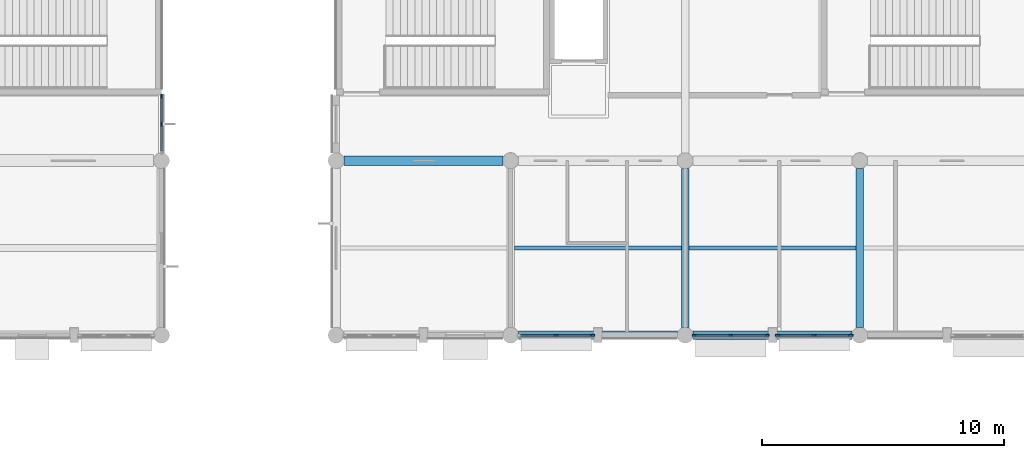
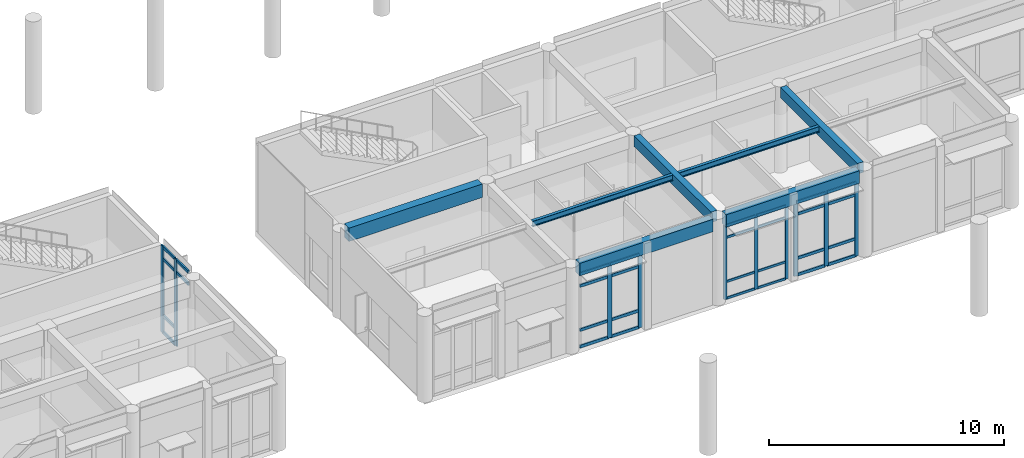
# One storey, part 13 of 92: 40 members, 7 beams, 4 elements without a shape of their own.
"""IFC4 building model written with IfcOpenShell, lengths in metres."""

from ifc_helpers import new_model, si_unit, direction, frame, origin, origin_2d, place, context, subcontext, project, spatial, rectangle, i_section, extrude, material, layer, layer_set, material_profile, profile_set, type_object, element, aggregate, save


model = new_model("IFC4")

# Units and contexts
model_context = context("Model", 3, precision=1e-05, world=origin(), true_north=direction((0.0, 1.0)))
body_context = subcontext(model_context, "Body", "Model", "MODEL_VIEW")
ifc_project = project(units=[si_unit("LENGTHUNIT", "METRE"), si_unit("AREAUNIT", "SQUARE_METRE"), si_unit("VOLUMEUNIT", "CUBIC_METRE"), si_unit("PLANEANGLEUNIT", "RADIAN"), si_unit("MASSUNIT", "GRAM", prefix="KILO")], contexts=[model_context])

# Site, building, storey
site_placement = place(None, origin())
site = spatial("IfcSite", under=ifc_project, at=site_placement, CompositionType="ELEMENT")
building_placement = place(site_placement, origin())
building = spatial("IfcBuilding", under=site, at=building_placement, Name="Namkhue Oval Health Centre", CompositionType="ELEMENT")
storey_placement = place(building_placement, frame((0.0, 0.0, 4.800048828125)))
storey = spatial("IfcBuildingStorey", under=building, at=storey_placement, Name="L01", CompositionType="ELEMENT", Elevation=4.800048828125)

# Curtain wall, members
ifc_material_1 = material(Name="Anodised aluminium EN AW-6063 T6", Category="aluminium")
ifc_layer_1 = layer(ifc_material_1, 0.159912109375)
ifc_layer_set_1 = layer_set([ifc_layer_1], Name="Anodised aluminium EN AW-6063 T6")
curtain_wall_type_1 = type_object("IfcCurtainWallType", Name="UNITISED CURTAIN WALL M1500", PredefinedType="NOTDEFINED", material=ifc_layer_set_1)
curtain_wall_1_placement = place(storey_placement, origin())
curtain_wall_1 = element("IfcCurtainWall", 1, at=curtain_wall_1_placement, inside=storey, type_object=curtain_wall_type_1, Name="Volume V5 L01 Unitised Curtain Wall 189", PredefinedType="NOTDEFINED")
ifc_material_profile_1 = material_profile(ifc_material_1, rectangle(XDim=0.06494140625, YDim=0.159912109375, at=origin_2d()), Name="ALU 65x160")
ifc_profile_set_1 = profile_set([ifc_material_profile_1], Name="Anodised aluminium EN AW-6063 T6")
member_type_1 = type_object("IfcMemberType", Name="CURTAIN WALL MULLION 65X160", PredefinedType="MULLION", material=ifc_profile_set_1)
member_1_placement = place(storey_placement, frame((108.367431640625, 14.39990234375, 0.0), z_axis=(0.0, 0.0, 1.0), x_axis=(0.0, 1.0, 0.0)))
member_1 = element("IfcMember", 2, at=member_1_placement, type_object=member_type_1, Name="CW-03 mullion 1", PredefinedType="MULLION", context=body_context, shape_type="SweptSolid", body=[
    extrude(rectangle(XDim=0.06494140625, YDim=0.159912109375, at=origin_2d()), origin(), (0.0, 0.0, 1.0), 3.83984375),
])
member_2_placement = place(storey_placement, frame((109.87451171875, 14.39990234375, 0.0), z_axis=(0.0, 0.0, 1.0), x_axis=(0.0, 1.0, 0.0)))
member_2 = element("IfcMember", 3, at=member_2_placement, type_object=member_type_1, Name="CW-03 mullion 2", PredefinedType="MULLION", context=body_context, shape_type="SweptSolid", body=[
    extrude(rectangle(XDim=0.06494140625, YDim=0.159912109375, at=origin_2d()), origin(), (0.0, 0.0, 1.0), 3.83984375),
])
member_3_placement = place(storey_placement, frame((111.381591796875, 14.39990234375, 0.0), z_axis=(0.0, 0.0, 1.0), x_axis=(0.0, 1.0, 0.0)))
member_3 = element("IfcMember", 4, at=member_3_placement, type_object=member_type_1, Name="CW-03 mullion 3", PredefinedType="MULLION", context=body_context, shape_type="SweptSolid", body=[
    extrude(rectangle(XDim=0.06494140625, YDim=0.159912109375, at=origin_2d()), origin(), (0.0, 0.0, 1.0), 3.83984375),
])

ifc_layer_2 = layer(ifc_material_1, 0.159912109375)
ifc_layer_set_2 = layer_set([ifc_layer_2], Name="Anodised aluminium EN AW-6063 T6")
curtain_wall_type_2 = type_object("IfcCurtainWallType", Name="UNITISED CURTAIN WALL M1350", PredefinedType="NOTDEFINED", material=ifc_layer_set_2)
curtain_wall_2_placement = place(storey_placement, origin())
curtain_wall_2 = element("IfcCurtainWall", 5, at=curtain_wall_2_placement, inside=storey, type_object=curtain_wall_type_2, Name="Volume V4 L01 Unitised Curtain Wall 152", PredefinedType="NOTDEFINED")
ifc_material_profile_2 = material_profile(ifc_material_1, rectangle(XDim=0.074951171875, YDim=0.199951171875, at=origin_2d()), Name="ALU 75x200")
ifc_profile_set_2 = profile_set([ifc_material_profile_2], Name="Anodised aluminium EN AW-6063 T6")
member_type_2 = type_object("IfcMemberType", Name="CURTAIN WALL MULLION 75X200", PredefinedType="MULLION", material=ifc_profile_set_2)
member_4_placement = place(storey_placement, frame((86.39990234375, 23.10888671875, 0.0), z_axis=(0.0, 0.0, 1.0), x_axis=(-1.0, 0.0, 0.0)))
member_4 = element("IfcMember", 6, at=member_4_placement, type_object=member_type_2, Name="CW-02 mullion 2", PredefinedType="MULLION", context=body_context, shape_type="SweptSolid", body=[
    extrude(rectangle(XDim=0.074951171875, YDim=0.199951171875, at=origin_2d()), origin(), (0.0, 0.0, 1.0), 4.5048828125),
])
member_5_placement = place(storey_placement, frame((86.39990234375, 24.24560546875, 0.0), z_axis=(0.0, 0.0, 1.0), x_axis=(-1.0, 0.0, 0.0)))
member_5 = element("IfcMember", 7, at=member_5_placement, type_object=member_type_2, Name="CW-02 mullion 3", PredefinedType="MULLION", context=body_context, shape_type="SweptSolid", body=[
    extrude(rectangle(XDim=0.074951171875, YDim=0.199951171875, at=origin_2d()), origin(), (0.0, 0.0, 1.0), 4.5048828125),
])

curtain_wall_3_placement = place(storey_placement, origin())
curtain_wall_3 = element("IfcCurtainWall", 8, at=curtain_wall_3_placement, inside=storey, type_object=curtain_wall_type_2, Name="Volume V5 L01 Unitised Curtain Wall 188", PredefinedType="NOTDEFINED")
member_6_placement = place(storey_placement, frame((102.674560546875, 14.39990234375, 0.0), z_axis=(0.0, 0.0, 1.0), x_axis=(0.0, 1.0, 0.0)))
member_6 = element("IfcMember", 9, at=member_6_placement, type_object=member_type_2, Name="CW-02 mullion 2", PredefinedType="MULLION", context=body_context, shape_type="SweptSolid", body=[
    extrude(rectangle(XDim=0.074951171875, YDim=0.199951171875, at=origin_2d()), origin(), (0.0, 0.0, 1.0), 3.83984375),
])
member_7_placement = place(storey_placement, frame((104.176513671875, 14.39990234375, 0.0), z_axis=(0.0, 0.0, 1.0), x_axis=(0.0, 1.0, 0.0)))
member_7 = element("IfcMember", 10, at=member_7_placement, type_object=member_type_2, Name="CW-02 mullion 3", PredefinedType="MULLION", context=body_context, shape_type="SweptSolid", body=[
    extrude(rectangle(XDim=0.074951171875, YDim=0.199951171875, at=origin_2d()), origin(), (0.0, 0.0, 1.0), 3.83984375),
])

ifc_layer_3 = layer(ifc_material_1, 0.159912109375)
ifc_layer_set_3 = layer_set([ifc_layer_3], Name="Anodised aluminium EN AW-6063 T6")
curtain_wall_type_3 = type_object("IfcCurtainWallType", Name="UNITISED CURTAIN WALL M1600", PredefinedType="NOTDEFINED", material=ifc_layer_set_3)
curtain_wall_4_placement = place(storey_placement, origin())
curtain_wall_4 = element("IfcCurtainWall", 11, at=curtain_wall_4_placement, inside=storey, type_object=curtain_wall_type_3, Name="Volume V5 L01 Unitised Curtain Wall 190", PredefinedType="NOTDEFINED")
member_8_placement = place(storey_placement, frame((111.823486328125, 14.39990234375, 0.0), z_axis=(0.0, 0.0, 1.0), x_axis=(0.0, 1.0, 0.0)))
member_8 = element("IfcMember", 12, at=member_8_placement, type_object=member_type_2, Name="CW-04 mullion 1", PredefinedType="MULLION", context=body_context, shape_type="SweptSolid", body=[
    extrude(rectangle(XDim=0.074951171875, YDim=0.199951171875, at=origin_2d()), origin(), (0.0, 0.0, 1.0), 3.83984375),
])
member_9_placement = place(storey_placement, frame((113.325439453125, 14.39990234375, 0.0), z_axis=(0.0, 0.0, 1.0), x_axis=(0.0, 1.0, 0.0)))
member_9 = element("IfcMember", 13, at=member_9_placement, type_object=member_type_2, Name="CW-04 mullion 2", PredefinedType="MULLION", context=body_context, shape_type="SweptSolid", body=[
    extrude(rectangle(XDim=0.074951171875, YDim=0.199951171875, at=origin_2d()), origin(), (0.0, 0.0, 1.0), 3.83984375),
])
member_10_placement = place(storey_placement, frame((114.827392578125, 14.39990234375, 0.0), z_axis=(0.0, 0.0, 1.0), x_axis=(0.0, 1.0, 0.0)))
member_10 = element("IfcMember", 14, at=member_10_placement, type_object=member_type_2, Name="CW-04 mullion 3", PredefinedType="MULLION", context=body_context, shape_type="SweptSolid", body=[
    extrude(rectangle(XDim=0.074951171875, YDim=0.199951171875, at=origin_2d()), origin(), (0.0, 0.0, 1.0), 3.83984375),
])

# Member
ifc_material_profile_3 = material_profile(ifc_material_1, rectangle(XDim=0.06494140625, YDim=0.1201171875, at=origin_2d()), Name="ALU 65x120")
ifc_profile_set_3 = profile_set([ifc_material_profile_3], Name="Anodised aluminium EN AW-6063 T6")
member_type_3 = type_object("IfcMemberType", Name="CURTAIN WALL TRANSOM 65X120", PredefinedType="USERDEFINED", material=ifc_profile_set_3)
member_11_placement = place(storey_placement, frame((108.39990234375, 14.39990234375, 0.032470703125), z_axis=(1.0, 0.0, 0.0), x_axis=(0.0, 1.0, 0.0)))
member_11 = element("IfcMember", 15, at=member_11_placement, type_object=member_type_3, Name="CW-03 transom 1.1", ObjectType="TRANSOM", PredefinedType="USERDEFINED", context=body_context, shape_type="SweptSolid", body=[
    extrude(rectangle(XDim=0.06494140625, YDim=0.1201171875, at=origin_2d()), origin(), (0.0, 0.0, 1.0), 1.442138671875),
])

member_12_placement = place(storey_placement, frame((108.39990234375, 14.39990234375, 0.89990234375), z_axis=(1.0, 0.0, 0.0), x_axis=(0.0, 1.0, 0.0)))
member_12 = element("IfcMember", 16, at=member_12_placement, type_object=member_type_3, Name="CW-03 transom 1.2", ObjectType="TRANSOM", PredefinedType="USERDEFINED", context=body_context, shape_type="SweptSolid", body=[
    extrude(rectangle(XDim=0.06494140625, YDim=0.1201171875, at=origin_2d()), origin(), (0.0, 0.0, 1.0), 1.442138671875),
])

member_13_placement = place(storey_placement, frame((108.39990234375, 14.39990234375, 3.18994140625), z_axis=(1.0, 0.0, 0.0), x_axis=(0.0, 1.0, 0.0)))
member_13 = element("IfcMember", 17, at=member_13_placement, type_object=member_type_3, Name="CW-03 transom 1.3", ObjectType="TRANSOM", PredefinedType="USERDEFINED", context=body_context, shape_type="SweptSolid", body=[
    extrude(rectangle(XDim=0.06494140625, YDim=0.1201171875, at=origin_2d()), origin(), (0.0, 0.0, 1.0), 1.442138671875),
])

member_14_placement = place(storey_placement, frame((108.39990234375, 14.39990234375, 3.807373046875), z_axis=(1.0, 0.0, 0.0), x_axis=(0.0, 1.0, 0.0)))
member_14 = element("IfcMember", 18, at=member_14_placement, type_object=member_type_3, Name="CW-03 transom 1.4", ObjectType="TRANSOM", PredefinedType="USERDEFINED", context=body_context, shape_type="SweptSolid", body=[
    extrude(rectangle(XDim=0.06494140625, YDim=0.1201171875, at=origin_2d()), origin(), (0.0, 0.0, 1.0), 1.442138671875),
])

member_15_placement = place(storey_placement, frame((109.906982421875, 14.39990234375, 0.032470703125), z_axis=(1.0, 0.0, 0.0), x_axis=(0.0, 1.0, 0.0)))
member_15 = element("IfcMember", 19, at=member_15_placement, type_object=member_type_3, Name="CW-03 transom 2.1", ObjectType="TRANSOM", PredefinedType="USERDEFINED", context=body_context, shape_type="SweptSolid", body=[
    extrude(rectangle(XDim=0.06494140625, YDim=0.1201171875, at=origin_2d()), origin(), (0.0, 0.0, 1.0), 1.442138671875),
])

member_16_placement = place(storey_placement, frame((109.906982421875, 14.39990234375, 0.89990234375), z_axis=(1.0, 0.0, 0.0), x_axis=(0.0, 1.0, 0.0)))
member_16 = element("IfcMember", 20, at=member_16_placement, type_object=member_type_3, Name="CW-03 transom 2.2", ObjectType="TRANSOM", PredefinedType="USERDEFINED", context=body_context, shape_type="SweptSolid", body=[
    extrude(rectangle(XDim=0.06494140625, YDim=0.1201171875, at=origin_2d()), origin(), (0.0, 0.0, 1.0), 1.442138671875),
])

member_17_placement = place(storey_placement, frame((109.906982421875, 14.39990234375, 3.18994140625), z_axis=(1.0, 0.0, 0.0), x_axis=(0.0, 1.0, 0.0)))
member_17 = element("IfcMember", 21, at=member_17_placement, type_object=member_type_3, Name="CW-03 transom 2.3", ObjectType="TRANSOM", PredefinedType="USERDEFINED", context=body_context, shape_type="SweptSolid", body=[
    extrude(rectangle(XDim=0.06494140625, YDim=0.1201171875, at=origin_2d()), origin(), (0.0, 0.0, 1.0), 1.442138671875),
])

member_18_placement = place(storey_placement, frame((109.906982421875, 14.39990234375, 3.807373046875), z_axis=(1.0, 0.0, 0.0), x_axis=(0.0, 1.0, 0.0)))
member_18 = element("IfcMember", 22, at=member_18_placement, type_object=member_type_3, Name="CW-03 transom 2.4", ObjectType="TRANSOM", PredefinedType="USERDEFINED", context=body_context, shape_type="SweptSolid", body=[
    extrude(rectangle(XDim=0.06494140625, YDim=0.1201171875, at=origin_2d()), origin(), (0.0, 0.0, 1.0), 1.442138671875),
])

aggregate(curtain_wall_1, [member_1, member_2, member_3, member_11, member_12, member_13, member_14, member_15, member_16, member_17, member_18])

ifc_material_profile_4 = material_profile(ifc_material_1, rectangle(XDim=0.074951171875, YDim=0.14990234375, at=origin_2d()), Name="ALU 75x150")
ifc_profile_set_4 = profile_set([ifc_material_profile_4], Name="Anodised aluminium EN AW-6063 T6")
member_type_4 = type_object("IfcMemberType", Name="CURTAIN WALL TRANSOM 75X150", PredefinedType="USERDEFINED", material=ifc_profile_set_4)
member_19_placement = place(storey_placement, frame((86.39990234375, 22.010009765625, 3.85498046875), z_axis=(0.0, 1.0, 0.0), x_axis=(-1.0, 0.0, 0.0)))
member_19 = element("IfcMember", 23, at=member_19_placement, type_object=member_type_4, Name="CW-02 transom 1.3", ObjectType="TRANSOM", PredefinedType="USERDEFINED", context=body_context, shape_type="SweptSolid", body=[
    extrude(rectangle(XDim=0.074951171875, YDim=0.14990234375, at=origin_2d()), origin(), (0.0, 0.0, 1.0), 1.0615234375),
])

member_20_placement = place(storey_placement, frame((86.39990234375, 22.010009765625, 4.467529296875), z_axis=(0.0, 1.0, 0.0), x_axis=(-1.0, 0.0, 0.0)))
member_20 = element("IfcMember", 24, at=member_20_placement, type_object=member_type_4, Name="CW-02 transom 1.4", ObjectType="TRANSOM", PredefinedType="USERDEFINED", context=body_context, shape_type="SweptSolid", body=[
    extrude(rectangle(XDim=0.074951171875, YDim=0.14990234375, at=origin_2d()), origin(), (0.0, 0.0, 1.0), 1.0615234375),
])

member_21_placement = place(storey_placement, frame((86.39990234375, 23.146484375, 0.037353515625), z_axis=(0.0, 1.0, 0.0), x_axis=(-1.0, 0.0, 0.0)))
member_21 = element("IfcMember", 25, at=member_21_placement, type_object=member_type_4, Name="CW-02 transom 2.1", ObjectType="TRANSOM", PredefinedType="USERDEFINED", context=body_context, shape_type="SweptSolid", body=[
    extrude(rectangle(XDim=0.074951171875, YDim=0.14990234375, at=origin_2d()), origin(), (0.0, 0.0, 1.0), 1.0615234375),
])

member_22_placement = place(storey_placement, frame((86.39990234375, 23.146484375, 0.89990234375), z_axis=(0.0, 1.0, 0.0), x_axis=(-1.0, 0.0, 0.0)))
member_22 = element("IfcMember", 26, at=member_22_placement, type_object=member_type_4, Name="CW-02 transom 2.2", ObjectType="TRANSOM", PredefinedType="USERDEFINED", context=body_context, shape_type="SweptSolid", body=[
    extrude(rectangle(XDim=0.074951171875, YDim=0.14990234375, at=origin_2d()), origin(), (0.0, 0.0, 1.0), 1.0615234375),
])

member_23_placement = place(storey_placement, frame((86.39990234375, 23.146484375, 3.85498046875), z_axis=(0.0, 1.0, 0.0), x_axis=(-1.0, 0.0, 0.0)))
member_23 = element("IfcMember", 27, at=member_23_placement, type_object=member_type_4, Name="CW-02 transom 2.3", ObjectType="TRANSOM", PredefinedType="USERDEFINED", context=body_context, shape_type="SweptSolid", body=[
    extrude(rectangle(XDim=0.074951171875, YDim=0.14990234375, at=origin_2d()), origin(), (0.0, 0.0, 1.0), 1.0615234375),
])

member_24_placement = place(storey_placement, frame((86.39990234375, 23.146484375, 4.467529296875), z_axis=(0.0, 1.0, 0.0), x_axis=(-1.0, 0.0, 0.0)))
member_24 = element("IfcMember", 28, at=member_24_placement, type_object=member_type_4, Name="CW-02 transom 2.4", ObjectType="TRANSOM", PredefinedType="USERDEFINED", context=body_context, shape_type="SweptSolid", body=[
    extrude(rectangle(XDim=0.074951171875, YDim=0.14990234375, at=origin_2d()), origin(), (0.0, 0.0, 1.0), 1.0615234375),
])

aggregate(curtain_wall_2, [member_4, member_5, member_19, member_20, member_21, member_22, member_23, member_24])

member_25_placement = place(storey_placement, frame((101.2099609375, 14.39990234375, 0.037353515625), z_axis=(1.0, 0.0, 0.0), x_axis=(0.0, 1.0, 0.0)))
member_25 = element("IfcMember", 29, at=member_25_placement, type_object=member_type_4, Name="CW-02 transom 1.1", ObjectType="TRANSOM", PredefinedType="USERDEFINED", context=body_context, shape_type="SweptSolid", body=[
    extrude(rectangle(XDim=0.074951171875, YDim=0.14990234375, at=origin_2d()), origin(), (0.0, 0.0, 1.0), 1.427001953125),
])

member_26_placement = place(storey_placement, frame((101.2099609375, 14.39990234375, 0.89990234375), z_axis=(1.0, 0.0, 0.0), x_axis=(0.0, 1.0, 0.0)))
member_26 = element("IfcMember", 30, at=member_26_placement, type_object=member_type_4, Name="CW-02 transom 1.2", ObjectType="TRANSOM", PredefinedType="USERDEFINED", context=body_context, shape_type="SweptSolid", body=[
    extrude(rectangle(XDim=0.074951171875, YDim=0.14990234375, at=origin_2d()), origin(), (0.0, 0.0, 1.0), 1.427001953125),
])

member_27_placement = place(storey_placement, frame((101.2099609375, 14.39990234375, 3.18994140625), z_axis=(1.0, 0.0, 0.0), x_axis=(0.0, 1.0, 0.0)))
member_27 = element("IfcMember", 31, at=member_27_placement, type_object=member_type_4, Name="CW-02 transom 1.3", ObjectType="TRANSOM", PredefinedType="USERDEFINED", context=body_context, shape_type="SweptSolid", body=[
    extrude(rectangle(XDim=0.074951171875, YDim=0.14990234375, at=origin_2d()), origin(), (0.0, 0.0, 1.0), 1.427001953125),
])

member_28_placement = place(storey_placement, frame((101.2099609375, 14.39990234375, 3.802490234375), z_axis=(1.0, 0.0, 0.0), x_axis=(0.0, 1.0, 0.0)))
member_28 = element("IfcMember", 32, at=member_28_placement, type_object=member_type_4, Name="CW-02 transom 1.4", ObjectType="TRANSOM", PredefinedType="USERDEFINED", context=body_context, shape_type="SweptSolid", body=[
    extrude(rectangle(XDim=0.074951171875, YDim=0.14990234375, at=origin_2d()), origin(), (0.0, 0.0, 1.0), 1.427001953125),
])

member_29_placement = place(storey_placement, frame((102.7119140625, 14.39990234375, 0.037353515625), z_axis=(1.0, 0.0, 0.0), x_axis=(0.0, 1.0, 0.0)))
member_29 = element("IfcMember", 33, at=member_29_placement, type_object=member_type_4, Name="CW-02 transom 2.1", ObjectType="TRANSOM", PredefinedType="USERDEFINED", context=body_context, shape_type="SweptSolid", body=[
    extrude(rectangle(XDim=0.074951171875, YDim=0.14990234375, at=origin_2d()), origin(), (0.0, 0.0, 1.0), 1.427001953125),
])

member_30_placement = place(storey_placement, frame((102.7119140625, 14.39990234375, 0.89990234375), z_axis=(1.0, 0.0, 0.0), x_axis=(0.0, 1.0, 0.0)))
member_30 = element("IfcMember", 34, at=member_30_placement, type_object=member_type_4, Name="CW-02 transom 2.2", ObjectType="TRANSOM", PredefinedType="USERDEFINED", context=body_context, shape_type="SweptSolid", body=[
    extrude(rectangle(XDim=0.074951171875, YDim=0.14990234375, at=origin_2d()), origin(), (0.0, 0.0, 1.0), 1.427001953125),
])

member_31_placement = place(storey_placement, frame((102.7119140625, 14.39990234375, 3.18994140625), z_axis=(1.0, 0.0, 0.0), x_axis=(0.0, 1.0, 0.0)))
member_31 = element("IfcMember", 35, at=member_31_placement, type_object=member_type_4, Name="CW-02 transom 2.3", ObjectType="TRANSOM", PredefinedType="USERDEFINED", context=body_context, shape_type="SweptSolid", body=[
    extrude(rectangle(XDim=0.074951171875, YDim=0.14990234375, at=origin_2d()), origin(), (0.0, 0.0, 1.0), 1.427001953125),
])

member_32_placement = place(storey_placement, frame((102.7119140625, 14.39990234375, 3.802490234375), z_axis=(1.0, 0.0, 0.0), x_axis=(0.0, 1.0, 0.0)))
member_32 = element("IfcMember", 36, at=member_32_placement, type_object=member_type_4, Name="CW-02 transom 2.4", ObjectType="TRANSOM", PredefinedType="USERDEFINED", context=body_context, shape_type="SweptSolid", body=[
    extrude(rectangle(XDim=0.074951171875, YDim=0.14990234375, at=origin_2d()), origin(), (0.0, 0.0, 1.0), 1.427001953125),
])

aggregate(curtain_wall_3, [member_6, member_7, member_25, member_26, member_27, member_28, member_29, member_30, member_31, member_32])

member_33_placement = place(storey_placement, frame((111.861083984375, 14.39990234375, 0.037353515625), z_axis=(1.0, 0.0, 0.0), x_axis=(0.0, 1.0, 0.0)))
member_33 = element("IfcMember", 37, at=member_33_placement, type_object=member_type_4, Name="CW-04 transom 1.1", ObjectType="TRANSOM", PredefinedType="USERDEFINED", context=body_context, shape_type="SweptSolid", body=[
    extrude(rectangle(XDim=0.074951171875, YDim=0.14990234375, at=origin_2d()), origin(), (0.0, 0.0, 1.0), 1.427001953125),
])

member_34_placement = place(storey_placement, frame((111.861083984375, 14.39990234375, 0.89990234375), z_axis=(1.0, 0.0, 0.0), x_axis=(0.0, 1.0, 0.0)))
member_34 = element("IfcMember", 38, at=member_34_placement, type_object=member_type_4, Name="CW-04 transom 1.2", ObjectType="TRANSOM", PredefinedType="USERDEFINED", context=body_context, shape_type="SweptSolid", body=[
    extrude(rectangle(XDim=0.074951171875, YDim=0.14990234375, at=origin_2d()), origin(), (0.0, 0.0, 1.0), 1.427001953125),
])

member_35_placement = place(storey_placement, frame((111.861083984375, 14.39990234375, 3.18994140625), z_axis=(1.0, 0.0, 0.0), x_axis=(0.0, 1.0, 0.0)))
member_35 = element("IfcMember", 39, at=member_35_placement, type_object=member_type_4, Name="CW-04 transom 1.3", ObjectType="TRANSOM", PredefinedType="USERDEFINED", context=body_context, shape_type="SweptSolid", body=[
    extrude(rectangle(XDim=0.074951171875, YDim=0.14990234375, at=origin_2d()), origin(), (0.0, 0.0, 1.0), 1.427001953125),
])

member_36_placement = place(storey_placement, frame((111.861083984375, 14.39990234375, 3.802490234375), z_axis=(1.0, 0.0, 0.0), x_axis=(0.0, 1.0, 0.0)))
member_36 = element("IfcMember", 40, at=member_36_placement, type_object=member_type_4, Name="CW-04 transom 1.4", ObjectType="TRANSOM", PredefinedType="USERDEFINED", context=body_context, shape_type="SweptSolid", body=[
    extrude(rectangle(XDim=0.074951171875, YDim=0.14990234375, at=origin_2d()), origin(), (0.0, 0.0, 1.0), 1.427001953125),
])

member_37_placement = place(storey_placement, frame((113.363037109375, 14.39990234375, 0.037353515625), z_axis=(1.0, 0.0, 0.0), x_axis=(0.0, 1.0, 0.0)))
member_37 = element("IfcMember", 41, at=member_37_placement, type_object=member_type_4, Name="CW-04 transom 2.1", ObjectType="TRANSOM", PredefinedType="USERDEFINED", context=body_context, shape_type="SweptSolid", body=[
    extrude(rectangle(XDim=0.074951171875, YDim=0.14990234375, at=origin_2d()), origin(), (0.0, 0.0, 1.0), 1.427001953125),
])

member_38_placement = place(storey_placement, frame((113.363037109375, 14.39990234375, 0.89990234375), z_axis=(1.0, 0.0, 0.0), x_axis=(0.0, 1.0, 0.0)))
member_38 = element("IfcMember", 42, at=member_38_placement, type_object=member_type_4, Name="CW-04 transom 2.2", ObjectType="TRANSOM", PredefinedType="USERDEFINED", context=body_context, shape_type="SweptSolid", body=[
    extrude(rectangle(XDim=0.074951171875, YDim=0.14990234375, at=origin_2d()), origin(), (0.0, 0.0, 1.0), 1.427001953125),
])

member_39_placement = place(storey_placement, frame((113.363037109375, 14.39990234375, 3.18994140625), z_axis=(1.0, 0.0, 0.0), x_axis=(0.0, 1.0, 0.0)))
member_39 = element("IfcMember", 43, at=member_39_placement, type_object=member_type_4, Name="CW-04 transom 2.3", ObjectType="TRANSOM", PredefinedType="USERDEFINED", context=body_context, shape_type="SweptSolid", body=[
    extrude(rectangle(XDim=0.074951171875, YDim=0.14990234375, at=origin_2d()), origin(), (0.0, 0.0, 1.0), 1.427001953125),
])

member_40_placement = place(storey_placement, frame((113.363037109375, 14.39990234375, 3.802490234375), z_axis=(1.0, 0.0, 0.0), x_axis=(0.0, 1.0, 0.0)))
member_40 = element("IfcMember", 44, at=member_40_placement, type_object=member_type_4, Name="CW-04 transom 2.4", ObjectType="TRANSOM", PredefinedType="USERDEFINED", context=body_context, shape_type="SweptSolid", body=[
    extrude(rectangle(XDim=0.074951171875, YDim=0.14990234375, at=origin_2d()), origin(), (0.0, 0.0, 1.0), 1.427001953125),
])

aggregate(curtain_wall_4, [member_8, member_9, member_10, member_33, member_34, member_35, member_36, member_37, member_38, member_39, member_40])

# Beams
ifc_material_2 = material(Name="Reinforced concrete C30/37 (TCVN B35)", Category="concrete")
ifc_material_profile_5 = material_profile(ifc_material_2, rectangle(XDim=0.300048828125, YDim=0.550048828125, at=origin_2d()), Name="RC 300x550")
ifc_profile_set_5 = profile_set([ifc_material_profile_5], Name="Reinforced concrete C30/37 (TCVN B35)")
beam_type_1 = type_object("IfcBeamType", Name="FLOOR BEAM RC 300X550", PredefinedType="BEAM", material=ifc_profile_set_5)
for number, where, z_axis, x_axis, name in (
    (45, (108.0, 14.72509765625, 4.21484375), (0.0, 1.0, 0.0), (-1.0, 0.0, 0.0), "Volume V5 L02 Beam 16/C-D"),
    (46, (115.199951171875, 14.72509765625, 4.21484375), (0.0, 1.0, 0.0), (-1.0, 0.0, 0.0), "Volume V5 L02 Beam 17/C-D"),
):
    element("IfcBeam", number, at=place(storey_placement, frame(where, z_axis=z_axis, x_axis=x_axis)), inside=storey, type_object=beam_type_1, Name=name, PredefinedType="BEAM", context=body_context, shape_type="SweptSolid", body=[
        extrude(rectangle(XDim=0.300048828125, YDim=0.550048828125, at=origin_2d()), origin(), (0.0, 0.0, 1.0), 6.5498046875),
    ])
ifc_material_3 = material(Name="Reinforced concrete C35/45 (TCVN B40)", Category="concrete")
ifc_material_profile_6 = material_profile(ifc_material_3, rectangle(XDim=0.35009765625, YDim=0.64990234375, at=origin_2d()), Name="RC 350x650")
ifc_profile_set_6 = profile_set([ifc_material_profile_6], Name="Reinforced concrete C35/45 (TCVN B40)")
beam_type_2 = type_object("IfcBeamType", Name="PERIMETER SPANDREL BEAM 350X650", PredefinedType="SPANDREL", material=ifc_profile_set_6)
for number, where, z_axis, x_axis, name in (
    (47, (101.125, 14.39990234375, 4.1650390625), (1.0, 0.0, 0.0), (0.0, 1.0, 0.0), "Volume V5 L02 Girder C/15-16"),
    (48, (108.324951171875, 14.39990234375, 4.1650390625), (1.0, 0.0, 0.0), (0.0, 1.0, 0.0), "Volume V5 L02 Girder C/16-17"),
):
    element("IfcBeam", number, at=place(storey_placement, frame(where, z_axis=z_axis, x_axis=x_axis)), inside=storey, type_object=beam_type_2, Name=name, PredefinedType="SPANDREL", context=body_context, shape_type="SweptSolid", body=[
        extrude(rectangle(XDim=0.35009765625, YDim=0.64990234375, at=origin_2d()), origin(), (0.0, 0.0, 1.0), 6.550048828125),
    ])
ifc_material_profile_7 = material_profile(ifc_material_3, rectangle(XDim=0.39990234375, YDim=0.699951171875, at=origin_2d()), Name="RC 400x700")
ifc_profile_set_7 = profile_set([ifc_material_profile_7], Name="Reinforced concrete C35/45 (TCVN B40)")
beam_type_3 = type_object("IfcBeamType", Name="PRIMARY GIRDER RC 400X700", PredefinedType="USERDEFINED", material=ifc_profile_set_7)
beam_placement = place(storey_placement, frame((93.925048828125, 21.60009765625, 4.139892578125), z_axis=(1.0, 0.0, 0.0), x_axis=(0.0, 1.0, 0.0)))
element("IfcBeam", 49, at=beam_placement, inside=storey, type_object=beam_type_3, Name="Volume V5 L02 Girder D/14-15", ObjectType="GIRDER", PredefinedType="USERDEFINED", context=body_context, shape_type="SweptSolid", body=[
    extrude(rectangle(XDim=0.39990234375, YDim=0.699951171875, at=origin_2d()), origin(), (0.0, 0.0, 1.0), 6.550048828125),
])
ifc_material_4 = material(Name="Structural steel EN 10025-2 S355JR (TCVN 5575:2024)", Category="steel")
ifc_material_profile_8 = material_profile(ifc_material_4, i_section(OverallWidth=0.14990234375, OverallDepth=0.300048828125, WebThickness=0.007080078125, FlangeThickness=0.0107421875, FilletRadius=0.014892578125, at=origin_2d()), Name="IPE 300")
ifc_profile_set_8 = profile_set([ifc_material_profile_8], Name="Structural steel EN 10025-2 S355JR (TCVN 5575:2024)")
beam_type_4 = type_object("IfcBeamType", Name="SECONDARY JOIST STEEL IPE 300", PredefinedType="JOIST", material=ifc_profile_set_8)
for number, where, z_axis, x_axis, name in (
    (50, (100.949951171875, 18.0, 4.33984375), (1.0, 0.0, 0.0), (0.0, 1.0, 0.0), "Volume V5 L02 Secondary Joist 15-16"),
    (51, (108.14990234375, 18.0, 4.33984375), (1.0, 0.0, 0.0), (0.0, 1.0, 0.0), "Volume V5 L02 Secondary Joist 16-17"),
):
    element("IfcBeam", number, at=place(storey_placement, frame(where, z_axis=z_axis, x_axis=x_axis)), inside=storey, type_object=beam_type_4, Name=name, PredefinedType="JOIST", context=body_context, shape_type="SweptSolid", body=[
        extrude(i_section(OverallWidth=0.14990234375, OverallDepth=0.300048828125, WebThickness=0.007080078125, FlangeThickness=0.0107421875, FilletRadius=0.014892578125, at=origin_2d()), origin(), (0.0, 0.0, 1.0), 6.900146484375),
    ])

save(model, "model.ifc")
